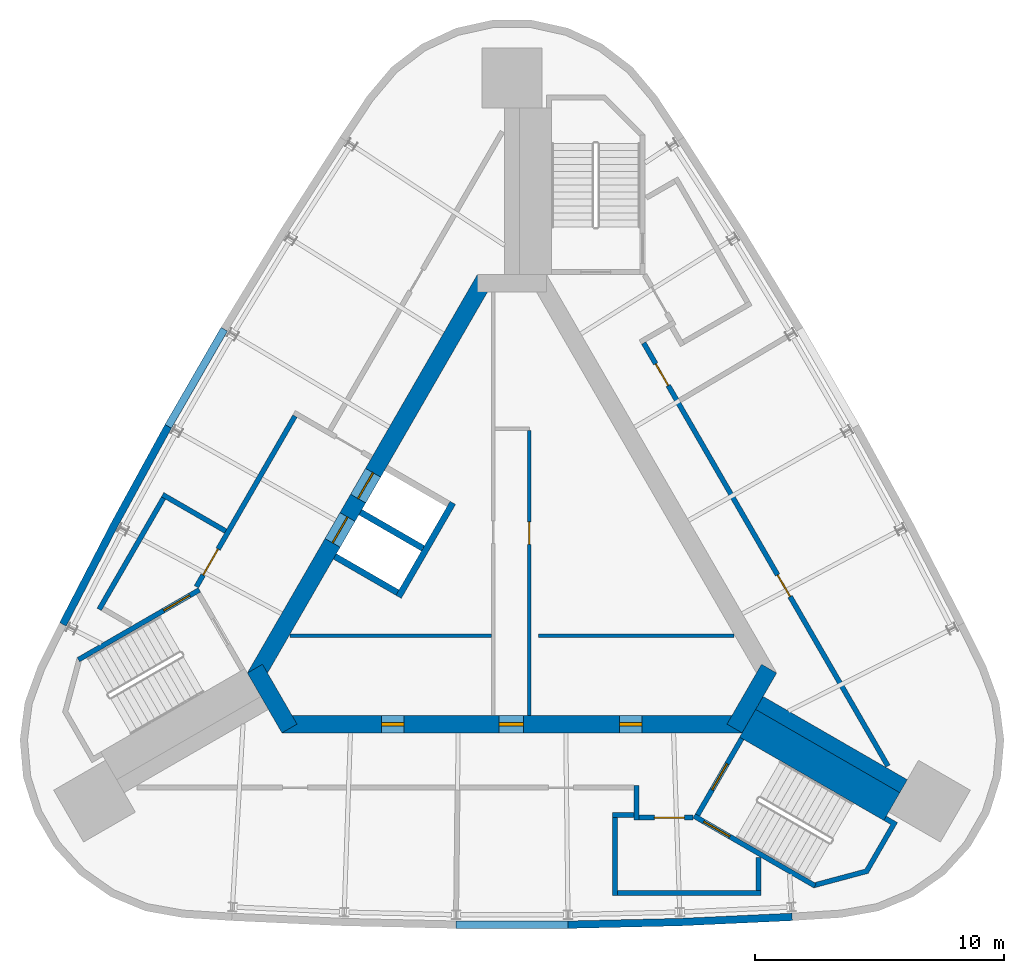
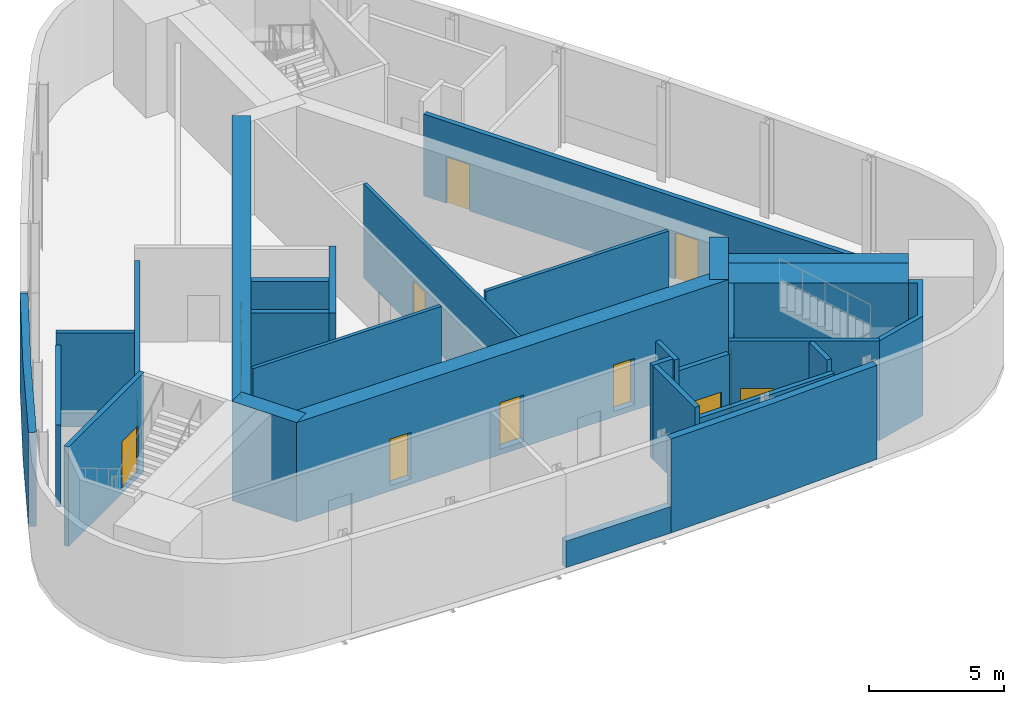
# One storey, part 4 of 7: 30 walls, 13 doors, 13 openings.
"""IFC4 building model written with IfcOpenShell, lengths in metres."""

from ifc_helpers import new_model, si_unit, direction, frame, frame_2d, origin, place, context, subcontext, project, spatial, polyline, rectangle, outline, extrude, material, layer, layer_set, type_object, element, fill, save


model = new_model("IFC4")

# Units and contexts
model_context = context("Model", 3, precision=1e-05, world=origin(), true_north=direction((0.0, 1.0)))
body_context = subcontext(model_context, "Body", "Model", "MODEL_VIEW")
ifc_project = project(units=[si_unit("LENGTHUNIT", "METRE"), si_unit("AREAUNIT", "SQUARE_METRE"), si_unit("VOLUMEUNIT", "CUBIC_METRE"), si_unit("PLANEANGLEUNIT", "RADIAN"), si_unit("MASSUNIT", "GRAM", prefix="KILO")], contexts=[model_context])

# Site, building, storey
site_placement = place(None, origin())
site = spatial("IfcSite", under=ifc_project, at=site_placement, CompositionType="ELEMENT")
building_placement = place(site_placement, origin())
building = spatial("IfcBuilding", under=site, at=building_placement, Name="Noor Cloister Tower", CompositionType="ELEMENT")
storey_placement = place(building_placement, frame((0.0, 0.0, 279.60009765625)))
storey = spatial("IfcBuildingStorey", under=building, at=storey_placement, Name="L71", CompositionType="ELEMENT", Elevation=279.60009765625)

# Walls
ifc_material_1 = material(Name="Concrete C50/60", Category="concrete")
ifc_layer_1 = layer(ifc_material_1, 0.60009765625)
ifc_layer_set_1 = layer_set([ifc_layer_1], Name="Buttress wall 600 C50/60")
wall_type_1 = type_object("IfcWallType", Name="Buttress wall 600 C50/60", PredefinedType="SHEAR", material=ifc_layer_set_1)
wall_1_placement = place(storey_placement, frame((9.921630859375, -5.728271484375, -0.25), z_axis=(0.0, 0.0, 1.0), x_axis=(0.866032176823, -0.499988268569, 0.0)))
element("IfcWall", 1, at=wall_1_placement, inside=storey, type_object=wall_type_1, Name="Buttress wall SE L71", PredefinedType="SHEAR", context=body_context, shape_type="SweptSolid", body=[
    extrude(rectangle(XDim=6.678466796875, YDim=0.60009765625, at=frame_2d((3.33935546875, 0.0))), origin(), (0.0, 0.0, 1.0), 4.5),
])
ifc_material_2 = material(Name="Concrete C30/37", Category="concrete")
ifc_layer_2 = layer(ifc_material_2, 0.14990234375)
ifc_layer_set_2 = layer_set([ifc_layer_2], Name="Core partition 150 C30/37")
wall_type_2 = type_object("IfcWallType", Name="Core partition 150 C30/37", PredefinedType="PARTITIONING", material=ifc_layer_set_2)
wall_2_placement = place(storey_placement, frame((-8.89501953125, -3.0283203125, 0.0), z_axis=(0.0, 0.0, 1.0), x_axis=(1.0, 0.0, 0.0)))
element("IfcWall", 2, at=wall_2_placement, inside=storey, type_object=wall_type_2, Name="Core room partition L71 1", PredefinedType="PARTITIONING", context=body_context, shape_type="SweptSolid", body=[
    extrude(rectangle(XDim=8.06640625, YDim=0.14990234375, at=frame_2d((4.033203125, 0.0))), origin(), (0.0, 0.0, 1.0), 4.25),
])

# Wall, opening, door
wall_3_placement = place(storey_placement, frame((0.6962890625, 5.19677734375, 0.0), z_axis=(0.0, 0.0, 1.0), x_axis=(0.0, -1.0, 0.0)))
wall_3 = element("IfcWall", 3, at=wall_3_placement, inside=storey, type_object=wall_type_2, Name="Core room partition L71 4", PredefinedType="PARTITIONING", context=body_context, shape_type="SweptSolid", body=[
    extrude(rectangle(XDim=11.425048828125, YDim=0.14990234375, at=frame_2d((5.71240234375, 0.0))), origin(), (0.0, 0.0, 1.0), 4.25),
])
opening_1_placement = place(wall_3_placement, frame((3.66357421875, 0.0, 0.0)))
opening_1 = element("IfcOpeningElement", 4, at=opening_1_placement, cuts=wall_3, Name="Opening L71-905", PredefinedType="OPENING", context=body_context, shape_type="SweptSolid", body=[
    extrude(rectangle(XDim=0.89990234375, YDim=2.10009765625, at=frame_2d((0.449951171875, 1.050048828125))), frame((0.0, 0.0849609375, 0.0), z_axis=(0.0, -1.0, 0.0), x_axis=(1.0, 0.0, 0.0)), (0.0, 0.0, 1.0), 0.169921875),
])
ifc_material_3 = material(Name="Steel", Category="steel")
door_type_1 = type_object("IfcDoorType", Name="Core door 900 x 2100 FD60", OperationType="SINGLE_SWING_LEFT", PredefinedType="DOOR", material=ifc_material_3)
door_1_placement = place(opening_1_placement, origin())
door_1 = element("IfcDoor", 5, at=door_1_placement, inside=storey, type_object=door_type_1, Name="Core door 5 L71", OperationType="SINGLE_SWING_LEFT", OverallHeight=2.10009765625, OverallWidth=0.89990234375, PredefinedType="DOOR", context=body_context, shape_type="SweptSolid", body=[
    extrude(rectangle(XDim=0.89990234375, YDim=2.10009765625, at=frame_2d((0.449951171875, 1.050048828125))), frame((0.0, 0.02490234375, 0.0), z_axis=(0.0, -1.0, 0.0), x_axis=(1.0, 0.0, 0.0)), (0.0, 0.0, 1.0), 0.050048828125),
])
fill(opening_1, door_1)

# Wall
wall_4_placement = place(storey_placement, frame((1.0712890625, -3.0283203125, 0.0), z_axis=(0.0, 0.0, 1.0), x_axis=(1.0, 0.0, 0.0)))
element("IfcWall", 6, at=wall_4_placement, inside=storey, type_object=wall_type_2, Name="Core room partition L71 5", PredefinedType="PARTITIONING", context=body_context, shape_type="SweptSolid", body=[
    extrude(rectangle(XDim=7.82373046875, YDim=0.14990234375, at=frame_2d((3.911865234375, 0.0))), origin(), (0.0, 0.0, 1.0), 4.25),
])

# Wall, openings, doors
ifc_material_4 = material(Name="Concrete C50/60", Category="concrete")
ifc_layer_3 = layer(ifc_material_4, 0.699951171875)
ifc_layer_set_3 = layer_set([ifc_layer_3], Name="Core wall 700 C50/60")
wall_type_3 = type_object("IfcWallType", Name="Core wall 700 C50/60", PredefinedType="SHEAR", material=ifc_layer_set_3)
wall_5_placement = place(storey_placement, frame((-9.228759765625, -6.578125, -0.25), z_axis=(0.0, 0.0, 1.0), x_axis=(1.0, 0.0, 0.0)))
wall_5 = element("IfcWall", 7, at=wall_5_placement, inside=storey, type_object=wall_type_3, Name="Core wall L71 1", PredefinedType="SHEAR", context=body_context, shape_type="SweptSolid", body=[
    extrude(rectangle(XDim=18.45751953125, YDim=0.699951171875, at=frame_2d((9.228759765625, 0.0))), origin(), (0.0, 0.0, 1.0), 4.5),
])
opening_2_placement = place(wall_5_placement, frame((8.699951171875, 0.0, 0.25)))
opening_2 = element("IfcOpeningElement", 8, at=opening_2_placement, cuts=wall_5, Name="Opening L71-901", PredefinedType="OPENING", context=body_context, shape_type="SweptSolid", body=[
    extrude(rectangle(XDim=1.0, YDim=2.10009765625, at=frame_2d((0.5, 1.050048828125))), frame((0.0, 0.35986328125, 0.0), z_axis=(0.0, -1.0, 0.0), x_axis=(1.0, 0.0, 0.0)), (0.0, 0.0, 1.0), 0.719970703125),
])
opening_3_placement = place(wall_5_placement, frame((3.989501953125, 0.0, 0.25)))
opening_3 = element("IfcOpeningElement", 9, at=opening_3_placement, cuts=wall_5, Name="Opening L71-902", PredefinedType="OPENING", context=body_context, shape_type="SweptSolid", body=[
    extrude(rectangle(XDim=0.89990234375, YDim=2.10009765625, at=frame_2d((0.449951171875, 1.050048828125))), frame((0.0, 0.35986328125, 0.0), z_axis=(0.0, -1.0, 0.0), x_axis=(1.0, 0.0, 0.0)), (0.0, 0.0, 1.0), 0.719970703125),
])
opening_4_placement = place(wall_5_placement, frame((13.539306640625, 0.0, 0.25)))
opening_4 = element("IfcOpeningElement", 10, at=opening_4_placement, cuts=wall_5, Name="Opening L71-903", PredefinedType="OPENING", context=body_context, shape_type="SweptSolid", body=[
    extrude(rectangle(XDim=0.89990234375, YDim=2.10009765625, at=frame_2d((0.449951171875, 1.050048828125))), frame((0.0, 0.35986328125, 0.0), z_axis=(0.0, -1.0, 0.0), x_axis=(1.0, 0.0, 0.0)), (0.0, 0.0, 1.0), 0.719970703125),
])
ifc_material_5 = material(Name="Steel", Category="steel")
door_type_2 = type_object("IfcDoorType", Name="Core door 1000 x 2100 FD120", OperationType="SINGLE_SWING_LEFT", PredefinedType="DOOR", material=ifc_material_5)
door_2_placement = place(opening_2_placement, origin())
door_2 = element("IfcDoor", 11, at=door_2_placement, inside=storey, type_object=door_type_2, Name="Core door 1 L71", OperationType="SINGLE_SWING_LEFT", OverallHeight=2.10009765625, OverallWidth=1.0, PredefinedType="DOOR", context=body_context, shape_type="SweptSolid", body=[
    extrude(rectangle(XDim=1.0, YDim=2.10009765625, at=frame_2d((0.5, 1.050048828125))), frame((0.0, 0.074951171875, 0.0), z_axis=(0.0, -1.0, 0.0), x_axis=(1.0, 0.0, 0.0)), (0.0, 0.0, 1.0), 0.14990234375),
])
fill(opening_2, door_2)
ifc_material_6 = material(Name="Steel", Category="steel")
door_type_3 = type_object("IfcDoorType", Name="Core door 900 x 2100 FD120", OperationType="SINGLE_SWING_LEFT", PredefinedType="DOOR", material=ifc_material_6)
door_3_placement = place(opening_3_placement, origin())
door_3 = element("IfcDoor", 12, at=door_3_placement, inside=storey, type_object=door_type_3, Name="Core door 2 L71", OperationType="SINGLE_SWING_RIGHT", OverallHeight=2.10009765625, OverallWidth=0.89990234375, PredefinedType="DOOR", context=body_context, shape_type="SweptSolid", body=[
    extrude(rectangle(XDim=0.89990234375, YDim=2.10009765625, at=frame_2d((0.449951171875, 1.050048828125))), frame((0.0, 0.074951171875, 0.0), z_axis=(0.0, -1.0, 0.0), x_axis=(1.0, 0.0, 0.0)), (0.0, 0.0, 1.0), 0.14990234375),
])
fill(opening_3, door_3)
door_4_placement = place(opening_4_placement, origin())
door_4 = element("IfcDoor", 13, at=door_4_placement, inside=storey, type_object=door_type_1, Name="Core door 3 L71", OperationType="SINGLE_SWING_LEFT", OverallHeight=2.10009765625, OverallWidth=0.89990234375, PredefinedType="DOOR", context=body_context, shape_type="SweptSolid", body=[
    extrude(rectangle(XDim=0.89990234375, YDim=2.10009765625, at=frame_2d((0.449951171875, 1.050048828125))), frame((0.0, 0.074951171875, 0.0), z_axis=(0.0, -1.0, 0.0), x_axis=(1.0, 0.0, 0.0)), (0.0, 0.0, 1.0), 0.14990234375),
])
fill(opening_4, door_4)

# Wall
wall_6_placement = place(storey_placement, frame((8.925537109375, -6.753173828125, -0.25), z_axis=(0.0, 0.0, 1.0), x_axis=(0.500042739161, 0.866000726912, 0.0)))
element("IfcWall", 14, at=wall_6_placement, inside=storey, type_object=wall_type_3, Name="Core wall L71 2", PredefinedType="SHEAR", context=body_context, shape_type="SweptSolid", body=[
    extrude(rectangle(XDim=2.771240234375, YDim=0.699951171875, at=frame_2d((1.3857421875, 0.0))), origin(), (0.0, 0.0, 1.0), 4.5),
])

# Wall, openings, doors
wall_7_placement = place(storey_placement, frame((-1.08251953125, 11.281494140625, -0.25), z_axis=(0.0, 0.0, 1.0), x_axis=(-0.500001446645, -0.866024568562, 0.0)))
wall_7 = element("IfcWall", 15, at=wall_7_placement, inside=storey, type_object=wall_type_3, Name="Core wall L71 5", PredefinedType="SHEAR", context=body_context, shape_type="SweptSolid", body=[
    extrude(rectangle(XDim=18.45751953125, YDim=0.699951171875, at=frame_2d((9.228759765625, 0.0))), origin(), (0.0, 0.0, 1.0), 4.5),
])
opening_5_placement = place(wall_7_placement, frame((8.978759765625, 0.0, 0.25)))
opening_5 = element("IfcOpeningElement", 16, at=opening_5_placement, cuts=wall_7, Name="Opening L71-FF1", PredefinedType="OPENING", context=body_context, shape_type="SweptSolid", body=[
    extrude(rectangle(XDim=1.199951171875, YDim=2.10009765625, at=frame_2d((0.60009765625, 1.050048828125))), frame((0.0, 0.35986328125, 0.0), z_axis=(0.0, -1.0, 0.0), x_axis=(1.0, 0.0, 0.0)), (0.0, 0.0, 1.0), 0.719970703125),
])
opening_6_placement = place(wall_7_placement, frame((11.02880859375, 0.0, 0.25)))
opening_6 = element("IfcOpeningElement", 17, at=opening_6_placement, cuts=wall_7, Name="Opening L71-FF2", PredefinedType="OPENING", context=body_context, shape_type="SweptSolid", body=[
    extrude(rectangle(XDim=1.199951171875, YDim=2.10009765625, at=frame_2d((0.60009765625, 1.050048828125))), frame((0.0, 0.35986328125, 0.0), z_axis=(0.0, -1.0, 0.0), x_axis=(1.0, 0.0, 0.0)), (0.0, 0.0, 1.0), 0.719970703125),
])
ifc_material_7 = material(Name="Stainless steel", Category="steel")
door_type_4 = type_object("IfcDoorType", Name="Lift landing door 1200 x 2100", OperationType="DOUBLE_DOOR_SLIDING", PredefinedType="DOOR", material=ifc_material_7)
door_5_placement = place(opening_5_placement, origin())
door_5 = element("IfcDoor", 18, at=door_5_placement, inside=storey, type_object=door_type_4, Name="Landing door FF1 L71", OperationType="DOUBLE_DOOR_SLIDING", OverallHeight=2.10009765625, OverallWidth=1.199951171875, PredefinedType="DOOR", context=body_context, shape_type="SweptSolid", body=[
    extrude(rectangle(XDim=1.199951171875, YDim=2.10009765625, at=frame_2d((0.60009765625, 1.050048828125))), frame((0.0, 0.02490234375, 0.0), z_axis=(0.0, -1.0, 0.0), x_axis=(1.0, 0.0, 0.0)), (0.0, 0.0, 1.0), 0.050048828125),
])
fill(opening_5, door_5)
door_6_placement = place(opening_6_placement, origin())
door_6 = element("IfcDoor", 19, at=door_6_placement, inside=storey, type_object=door_type_4, Name="Landing door FF2 L71", OperationType="DOUBLE_DOOR_SLIDING", OverallHeight=2.10009765625, OverallWidth=1.199951171875, PredefinedType="DOOR", context=body_context, shape_type="SweptSolid", body=[
    extrude(rectangle(XDim=1.199951171875, YDim=2.10009765625, at=frame_2d((0.60009765625, 1.050048828125))), frame((0.0, 0.02490234375, 0.0), z_axis=(0.0, -1.0, 0.0), x_axis=(1.0, 0.0, 0.0)), (0.0, 0.0, 1.0), 0.050048828125),
])
fill(opening_6, door_6)

# Walls
wall_8_placement = place(storey_placement, frame((-10.311279296875, -4.353271484375, -0.25), z_axis=(0.0, 0.0, 1.0), x_axis=(0.500042739161, -0.866000726912, 0.0)))
element("IfcWall", 20, at=wall_8_placement, inside=storey, type_object=wall_type_3, Name="Core wall L71 6", PredefinedType="SHEAR", context=body_context, shape_type="SweptSolid", body=[
    extrude(rectangle(XDim=2.771240234375, YDim=0.699951171875, at=frame_2d((1.3857421875, 0.0))), origin(), (0.0, 0.0, 1.0), 4.5),
])
ifc_material_8 = material(Name="Limestone", Category="masonry")
ifc_layer_4 = layer(ifc_material_8, 0.300048828125)
ifc_layer_set_4 = layer_set([ifc_layer_4], Name="Limestone panel wall 300")
wall_type_4 = type_object("IfcWallType", Name="Limestone panel wall 300", PredefinedType="NOTDEFINED", material=ifc_layer_set_4)
wall_9_placement = place(storey_placement, origin())
element("IfcWall", 21, at=wall_9_placement, inside=storey, type_object=wall_type_4, Name="Limestone crown wall L71 1b", PredefinedType="NOTDEFINED", context=body_context, shape_type="SweptSolid", body=[
    extrude(outline(polyline([(-13.919189453125, 5.438232421875), (-16.078125, 1.489990234375), (-18.14501953125, -2.507080078125), (-17.87841796875, -2.644775390625), (-15.813232421875, 1.34912109375), (-13.656005859375, 5.294189453125), (-13.919189453125, 5.438232421875)])), origin(), (0.0, 0.0, 1.0), 4.25),
])
wall_10_placement = place(storey_placement, origin())
element("IfcWall", 22, at=wall_10_placement, inside=storey, type_object=wall_type_4, Name="Limestone crown wall L71 1 lower", PredefinedType="NOTDEFINED", context=body_context, shape_type="SweptSolid", body=[
    extrude(outline(polyline([(-11.669189453125, 9.335205078125), (-13.919189453125, 5.438232421875), (-13.659423828125, 5.288330078125), (-11.409423828125, 9.185302734375), (-11.669189453125, 9.335205078125)])), origin(), (0.0, 0.0, 1.0), 1.199951171875),
])
wall_11_placement = place(storey_placement, origin())
element("IfcWall", 23, at=wall_11_placement, inside=storey, type_object=wall_type_4, Name="Limestone crown wall L71 2b", PredefinedType="NOTDEFINED", context=body_context, shape_type="SweptSolid", body=[
    extrude(outline(polyline([(2.25, -14.7734375), (6.74853515625, -14.669189453125), (11.24365234375, -14.46044921875), (11.229736328125, -14.160888671875), (6.73828125, -14.369384765625), (2.242919921875, -14.4736328125), (2.25, -14.7734375)])), origin(), (0.0, 0.0, 1.0), 4.25),
])
wall_12_placement = place(storey_placement, origin())
element("IfcWall", 24, at=wall_12_placement, inside=storey, type_object=wall_type_4, Name="Limestone crown wall L71 2 lower", PredefinedType="NOTDEFINED", context=body_context, shape_type="SweptSolid", body=[
    extrude(outline(polyline([(-2.25, -14.7734375), (2.25, -14.7734375), (2.25, -14.473388671875), (-2.25, -14.473388671875), (-2.25, -14.7734375)])), origin(), (0.0, 0.0, 1.0), 1.199951171875),
])
ifc_material_9 = material(Name="Concrete C50/60", Category="concrete")
ifc_layer_5 = layer(ifc_material_9, 0.25)
ifc_layer_set_5 = layer_set([ifc_layer_5], Name="Shaft wall 250 C50/60")
wall_type_5 = type_object("IfcWallType", Name="Shaft wall 250 C50/60", PredefinedType="PARTITIONING", material=ifc_layer_set_5)
for number, where, z_axis, x_axis, name in (
    (25, (-6.081298828125, 1.92333984375, -0.25), (0.0, 0.0, 1.0), (0.866032775405, -0.499987231761, 0.0), "Lift shaft wall L71 NW 4"),
    (26, (-7.106201171875, 0.14794921875, -0.25), (0.0, 0.0, 1.0), (0.866032775405, -0.499987231761, 0.0), "Lift shaft wall L71 NW 5"),
):
    element("IfcWall", number, at=place(storey_placement, frame(where, z_axis=z_axis, x_axis=x_axis)), inside=storey, type_object=wall_type_5, Name=name, PredefinedType="PARTITIONING", context=body_context, shape_type="SweptSolid", body=[
        extrude(rectangle(XDim=2.89990234375, YDim=0.25, at=frame_2d((1.449951171875, 0.0))), origin(), (0.0, 0.0, 1.0), 4.5),
    ])
wall_13_placement = place(storey_placement, frame((-2.3740234375, 2.29443359375, 0.0), z_axis=(0.0, 0.0, 1.0), x_axis=(-0.499996127374, -0.866027639635, 0.0)))
element("IfcWall", 27, at=wall_13_placement, inside=storey, type_object=wall_type_5, Name="Lift shaft back wall L71 NW", PredefinedType="PARTITIONING", context=body_context, shape_type="SweptSolid", body=[
    extrude(rectangle(XDim=4.35009765625, YDim=0.25, at=frame_2d((2.175048828125, 0.0))), origin(), (0.0, 0.0, 1.0), 4.25),
])
ifc_material_10 = material(Name="Concrete C50/60", Category="concrete")
ifc_layer_6 = layer(ifc_material_10, 1.285888671875)
ifc_layer_set_6 = layer_set([ifc_layer_6], Name="Stair enclosure wall 1286 C50/60")
wall_type_6 = type_object("IfcWallType", Name="Stair enclosure wall 1286 C50/60", PredefinedType="SHEAR", material=ifc_layer_set_6)
wall_14_placement = place(storey_placement, frame((9.4501953125, -6.544677734375, -0.25), z_axis=(0.0, 0.0, 1.0), x_axis=(0.866016347338, -0.500015685897, 0.0)))
element("IfcWall", 28, at=wall_14_placement, inside=storey, type_object=wall_type_6, Name="Stair enclosure wall ST3 L71 riser side", PredefinedType="SHEAR", context=body_context, shape_type="SweptSolid", body=[
    extrude(rectangle(XDim=6.678466796875, YDim=1.28564453125, at=frame_2d((3.33935546875, 0.0))), origin(), (0.0, 0.0, 1.0), 4.5),
])

# Wall, opening, door
ifc_material_11 = material(Name="Concrete C50/60", Category="concrete")
ifc_layer_7 = layer(ifc_material_11, 0.199951171875)
ifc_layer_set_7 = layer_set([ifc_layer_7], Name="Stair enclosure wall 200 C50/60")
wall_type_7 = type_object("IfcWallType", Name="Stair enclosure wall 200 C50/60", PredefinedType="SHEAR", material=ifc_layer_set_7)
wall_15_placement = place(storey_placement, frame((-12.539306640625, -1.194091796875, -0.25), z_axis=(0.0, 0.0, 1.0), x_axis=(-0.866045472092, -0.499965239061, 0.0)))
wall_15 = element("IfcWall", 29, at=wall_15_placement, inside=storey, type_object=wall_type_7, Name="Stair enclosure wall ST2 L71 outer side", PredefinedType="SHEAR", context=body_context, shape_type="SweptSolid", body=[
    extrude(rectangle(XDim=5.60009765625, YDim=0.199951171875, at=frame_2d((2.800048828125, 0.0))), origin(), (0.0, 0.0, 1.0), 4.5),
])
opening_7_placement = place(wall_15_placement, frame((0.449951171875, 0.0, 0.25)))
opening_7 = element("IfcOpeningElement", 30, at=opening_7_placement, cuts=wall_15, Name="Opening L71-ST2C", PredefinedType="OPENING", context=body_context, shape_type="SweptSolid", body=[
    extrude(rectangle(XDim=1.199951171875, YDim=2.10009765625, at=frame_2d((0.60009765625, 1.050048828125))), frame((0.0, 0.10986328125, 0.0), z_axis=(0.0, -1.0, 0.0), x_axis=(1.0, 0.0, 0.0)), (0.0, 0.0, 1.0), 0.219970703125),
])
ifc_material_12 = material(Name="Steel", Category="steel")
door_type_5 = type_object("IfcDoorType", Name="Stair door 1200 x 2100 FD120", OperationType="SINGLE_SWING_LEFT", PredefinedType="DOOR", material=ifc_material_12)
door_7_placement = place(opening_7_placement, origin())
door_7 = element("IfcDoor", 31, at=door_7_placement, inside=storey, type_object=door_type_5, Name="Stair door ST2 L71", OperationType="SINGLE_SWING_LEFT", OverallHeight=2.10009765625, OverallWidth=1.199951171875, PredefinedType="DOOR", context=body_context, shape_type="SweptSolid", body=[
    extrude(rectangle(XDim=1.199951171875, YDim=2.10009765625, at=frame_2d((0.60009765625, 1.050048828125))), frame((0.0, 0.02490234375, 0.0), z_axis=(0.0, -1.0, 0.0), x_axis=(1.0, 0.0, 0.0)), (0.0, 0.0, 1.0), 0.050048828125),
])
fill(opening_7, door_7)

wall_16_placement = place(storey_placement, frame((7.440185546875, -10.225830078125, -0.25), z_axis=(0.0, 0.0, 1.0), x_axis=(0.500022077904, 0.866012656725, 0.0)))
wall_16 = element("IfcWall", 32, at=wall_16_placement, inside=storey, type_object=wall_type_7, Name="Stair enclosure wall ST3 L71 near end", PredefinedType="SHEAR", context=body_context, shape_type="SweptSolid", body=[
    extrude(rectangle(XDim=3.550048828125, YDim=0.199951171875, at=frame_2d((1.77490234375, 0.0))), origin(), (0.0, 0.0, 1.0), 4.5),
])
opening_8_placement = place(wall_16_placement, frame((1.175048828125, 0.0, 0.25)))
opening_8 = element("IfcOpeningElement", 33, at=opening_8_placement, cuts=wall_16, Name="Opening L71-ST3L", PredefinedType="OPENING", context=body_context, shape_type="SweptSolid", body=[
    extrude(rectangle(XDim=1.199951171875, YDim=2.10009765625, at=frame_2d((0.60009765625, 1.050048828125))), frame((0.0, 0.10986328125, 0.0), z_axis=(0.0, -1.0, 0.0), x_axis=(1.0, 0.0, 0.0)), (0.0, 0.0, 1.0), 0.219970703125),
])
door_8_placement = place(opening_8_placement, origin())
door_8 = element("IfcDoor", 34, at=door_8_placement, inside=storey, type_object=door_type_5, Name="Stair door ST3 L71", OperationType="SINGLE_SWING_RIGHT", OverallHeight=2.10009765625, OverallWidth=1.199951171875, PredefinedType="DOOR", context=body_context, shape_type="SweptSolid", body=[
    extrude(rectangle(XDim=1.199951171875, YDim=2.10009765625, at=frame_2d((0.60009765625, 1.050048828125))), frame((0.0, 0.02490234375, 0.0), z_axis=(0.0, -1.0, 0.0), x_axis=(1.0, 0.0, 0.0)), (0.0, 0.0, 1.0), 0.050048828125),
])
fill(opening_8, door_8)

wall_17_placement = place(storey_placement, frame((7.3037109375, -10.262451171875, -0.25), z_axis=(0.0, 0.0, 1.0), x_axis=(0.866026594901, -0.49999793692, 0.0)))
wall_17 = element("IfcWall", 35, at=wall_17_placement, inside=storey, type_object=wall_type_7, Name="Stair enclosure wall ST3 L71 outer side", PredefinedType="SHEAR", context=body_context, shape_type="SweptSolid", body=[
    extrude(rectangle(XDim=5.60009765625, YDim=0.199951171875, at=frame_2d((2.800048828125, 0.0))), origin(), (0.0, 0.0, 1.0), 4.5),
])
opening_9_placement = place(wall_17_placement, frame((0.449951171875, 0.0, 0.25)))
opening_9 = element("IfcOpeningElement", 36, at=opening_9_placement, cuts=wall_17, Name="Opening L71-ST3C", PredefinedType="OPENING", context=body_context, shape_type="SweptSolid", body=[
    extrude(rectangle(XDim=1.199951171875, YDim=2.10009765625, at=frame_2d((0.60009765625, 1.050048828125))), frame((0.0, 0.10986328125, 0.0), z_axis=(0.0, -1.0, 0.0), x_axis=(1.0, 0.0, 0.0)), (0.0, 0.0, 1.0), 0.219970703125),
])
door_9_placement = place(opening_9_placement, origin())
door_9 = element("IfcDoor", 37, at=door_9_placement, inside=storey, type_object=door_type_5, Name="Stair door ST3 L71", OperationType="SINGLE_SWING_LEFT", OverallHeight=2.10009765625, OverallWidth=1.199951171875, PredefinedType="DOOR", context=body_context, shape_type="SweptSolid", body=[
    extrude(rectangle(XDim=1.199951171875, YDim=2.10009765625, at=frame_2d((0.60009765625, 1.050048828125))), frame((0.0, 0.02490234375, 0.0), z_axis=(0.0, -1.0, 0.0), x_axis=(1.0, 0.0, 0.0)), (0.0, 0.0, 1.0), 0.050048828125),
])
fill(opening_9, door_9)

# Walls
ifc_material_13 = material(Name="Concrete C50/60", Category="concrete")
wall_type_8 = type_object("IfcWallType", Name="Stair far end wall C50/60", PredefinedType="SHEAR", material=ifc_material_13)
wall_18_placement = place(storey_placement, frame((0.0, 0.0, -0.25)))
element("IfcWall", 38, at=wall_18_placement, inside=storey, type_object=wall_type_8, Name="Stair enclosure wall ST3 L71 far end", PredefinedType="SHEAR", context=body_context, shape_type="SweptSolid", body=[
    extrude(outline(polyline([(12.103515625, -13.14892578125), (14.2890625, -12.5634765625), (15.464111328125, -10.5283203125), (15.0126953125, -10.267578125), (14.91259765625, -10.440673828125), (15.19091796875, -10.601318359375), (14.1572265625, -12.3916015625), (12.131591796875, -12.934326171875), (12.20361328125, -12.975830078125), (12.20361328125, -12.975830078125), (12.20361328125, -12.975830078125), (12.20361328125, -12.975830078125), (12.20361328125, -12.975830078125), (12.20361328125, -12.975830078125), (12.20361328125, -12.975830078125), (12.20361328125, -12.975830078125), (12.20361328125, -12.975830078125), (12.20361328125, -12.975830078125), (12.20361328125, -12.975830078125), (12.20361328125, -12.975830078125), (12.20361328125, -12.975830078125), (12.20361328125, -12.975830078125), (12.20361328125, -12.975830078125), (12.20361328125, -12.975830078125), (12.20361328125, -12.975830078125), (12.103515625, -13.14892578125)])), origin(), (0.0, 0.0, 1.0), 4.5),
])
ifc_material_14 = material(Name="Concrete block wall, 200 mm", Category="concrete")
ifc_layer_8 = layer(ifc_material_14, 0.199951171875)
ifc_layer_set_8 = layer_set([ifc_layer_8], Name="Upper floor plant room wall 200")
wall_type_9 = type_object("IfcWallType", Name="Upper floor plant room wall 200", PredefinedType="PARTITIONING", material=ifc_layer_set_8)
wall_19_placement = place(storey_placement, frame((-14.012939453125, 2.62451171875, 0.0), z_axis=(0.0, 0.0, 1.0), x_axis=(0.866026830048, -0.499997529631, 0.0)))
element("IfcWall", 39, at=wall_19_placement, inside=storey, type_object=wall_type_9, Name="Upper floor plant room wall 200 L71 002", PredefinedType="PARTITIONING", context=body_context, shape_type="SweptSolid", body=[
    extrude(rectangle(XDim=2.91943359375, YDim=0.199951171875, at=frame_2d((1.459716796875, 0.0))), origin(), (0.0, 0.0, 1.0), 4.25),
])

# Wall, opening, door
wall_20_placement = place(storey_placement, frame((-12.657958984375, -1.06787109375, 0.0), z_axis=(0.0, 0.0, 1.0), x_axis=(0.499996073327, 0.866027670838, 0.0)))
wall_20 = element("IfcWall", 40, at=wall_20_placement, inside=storey, type_object=wall_type_9, Name="Upper floor plant room wall 200 L71 003", PredefinedType="PARTITIONING", context=body_context, shape_type="SweptSolid", body=[
    extrude(rectangle(XDim=7.90380859375, YDim=0.199951171875, at=frame_2d((3.951904296875, 0.0))), origin(), (0.0, 0.0, 1.0), 3.701904296875),
])
opening_10_placement = place(wall_20_placement, frame((0.54052734375, 0.0, 0.0)))
opening_10 = element("IfcOpeningElement", 41, at=opening_10_placement, cuts=wall_20, Name="Opening L71-003", PredefinedType="OPENING", context=body_context, shape_type="SweptSolid", body=[
    extrude(rectangle(XDim=1.199951171875, YDim=2.10009765625, at=frame_2d((0.60009765625, 1.050048828125))), frame((0.0, 0.10986328125, 0.0), z_axis=(0.0, -1.0, 0.0), x_axis=(1.0, 0.0, 0.0)), (0.0, 0.0, 1.0), 0.219970703125),
])
ifc_material_15 = material(Name="Timber door leaf with steel frame", Category="steel")
door_type_6 = type_object("IfcDoorType", Name="Protected lobby door 1200", OperationType="NOTDEFINED", PredefinedType="DOOR", material=ifc_material_15)
door_10_placement = place(opening_10_placement, origin())
door_10 = element("IfcDoor", 42, at=door_10_placement, inside=storey, type_object=door_type_6, Name="Protected lobby door 1200 L71-003", OperationType="SINGLE_SWING_LEFT", OverallHeight=2.10009765625, OverallWidth=1.199951171875, PredefinedType="DOOR", context=body_context, shape_type="SweptSolid", body=[
    extrude(rectangle(XDim=1.199951171875, YDim=2.10009765625, at=frame_2d((0.60009765625, 1.050048828125))), frame((0.0, 0.02490234375, 0.0), z_axis=(0.0, -1.0, 0.0), x_axis=(1.0, 0.0, 0.0)), (0.0, 0.0, 1.0), 0.050048828125),
])
fill(opening_10, door_10)

# Walls
wall_21_placement = place(storey_placement, frame((-13.97802734375, 2.489013671875, 0.0), z_axis=(0.0, 0.0, 1.0), x_axis=(-0.499983365876, -0.866035007288, 0.0)))
element("IfcWall", 43, at=wall_21_placement, inside=storey, type_object=wall_type_9, Name="Upper floor plant room wall 200 L71 005", PredefinedType="PARTITIONING", context=body_context, shape_type="SweptSolid", body=[
    extrude(rectangle(XDim=5.156982421875, YDim=0.199951171875, at=frame_2d((2.57861328125, 0.0))), origin(), (0.0, 0.0, 1.0), 3.701904296875),
])
wall_22_placement = place(storey_placement, frame((4.03564453125, -10.228271484375, 0.0), z_axis=(0.0, 0.0, 1.0), x_axis=(1.0, 0.0, 0.0)))
element("IfcWall", 44, at=wall_22_placement, inside=storey, type_object=wall_type_9, Name="Upper floor plant room wall 200 L71 007", PredefinedType="PARTITIONING", context=body_context, shape_type="SweptSolid", body=[
    extrude(rectangle(XDim=0.8642578125, YDim=0.199951171875, at=frame_2d((0.43212890625, 0.0))), origin(), (0.0, 0.0, 1.0), 4.25),
])
wall_23_placement = place(storey_placement, frame((5.0, -10.42822265625, 0.0), z_axis=(0.0, 0.0, 1.0), x_axis=(0.0, 1.0, 0.0)))
element("IfcWall", 45, at=wall_23_placement, inside=storey, type_object=wall_type_9, Name="Upper floor plant room wall 200 L71 008", PredefinedType="PARTITIONING", context=body_context, shape_type="SweptSolid", body=[
    extrude(rectangle(XDim=1.39794921875, YDim=0.199951171875, at=frame_2d((0.698974609375, 0.0))), origin(), (0.0, 0.0, 1.0), 4.25),
])

# Wall, opening, door
wall_24_placement = place(storey_placement, frame((5.10009765625, -10.328125, 0.0), z_axis=(0.0, 0.0, 1.0), x_axis=(1.0, 0.0, 0.0)))
wall_24 = element("IfcWall", 46, at=wall_24_placement, inside=storey, type_object=wall_type_9, Name="Upper floor plant room wall 200 L71 009", PredefinedType="PARTITIONING", context=body_context, shape_type="SweptSolid", body=[
    extrude(rectangle(XDim=2.153564453125, YDim=0.199951171875, at=frame_2d((1.07666015625, 0.0))), origin(), (0.0, 0.0, 1.0), 3.701904296875),
])
opening_11_placement = place(wall_24_placement, frame((0.61474609375, 0.0, 0.0)))
opening_11 = element("IfcOpeningElement", 47, at=opening_11_placement, cuts=wall_24, Name="Opening L71-006", PredefinedType="OPENING", context=body_context, shape_type="SweptSolid", body=[
    extrude(rectangle(XDim=1.199951171875, YDim=2.10009765625, at=frame_2d((0.60009765625, 1.050048828125))), frame((0.0, 0.10986328125, 0.0), z_axis=(0.0, -1.0, 0.0), x_axis=(1.0, 0.0, 0.0)), (0.0, 0.0, 1.0), 0.219970703125),
])
door_11_placement = place(opening_11_placement, origin())
door_11 = element("IfcDoor", 48, at=door_11_placement, inside=storey, type_object=door_type_6, Name="Protected lobby door 1200 L71-006", OperationType="SINGLE_SWING_RIGHT", OverallHeight=2.10009765625, OverallWidth=1.199951171875, PredefinedType="DOOR", context=body_context, shape_type="SweptSolid", body=[
    extrude(rectangle(XDim=1.199951171875, YDim=2.10009765625, at=frame_2d((0.60009765625, 1.050048828125))), frame((0.0, 0.02490234375, 0.0), z_axis=(0.0, -1.0, 0.0), x_axis=(1.0, 0.0, 0.0)), (0.0, 0.0, 1.0), 0.050048828125),
])
fill(opening_11, door_11)

# Walls
wall_25_placement = place(storey_placement, frame((4.133544921875, -10.328125, 0.0), z_axis=(0.0, 0.0, 1.0), x_axis=(0.0, -1.0, 0.0)))
element("IfcWall", 49, at=wall_25_placement, inside=storey, type_object=wall_type_9, Name="Upper floor plant room wall 200 L71 012", PredefinedType="PARTITIONING", context=body_context, shape_type="SweptSolid", body=[
    extrude(rectangle(XDim=3.11962890625, YDim=0.199951171875, at=frame_2d((1.559814453125, 0.0))), origin(), (0.0, 0.0, 1.0), 4.25),
])
wall_26_placement = place(storey_placement, frame((4.233642578125, -13.349853515625, 0.0), z_axis=(0.0, 0.0, 1.0), x_axis=(1.0, 0.0, 0.0)))
element("IfcWall", 50, at=wall_26_placement, inside=storey, type_object=wall_type_9, Name="Upper floor plant room wall 200 L71 013", PredefinedType="PARTITIONING", context=body_context, shape_type="SweptSolid", body=[
    extrude(rectangle(XDim=5.7568359375, YDim=0.199951171875, at=frame_2d((2.87841796875, 0.0))), origin(), (0.0, 0.0, 1.0), 3.701904296875),
])
wall_27_placement = place(storey_placement, frame((9.892578125, -13.249755859375, 0.0), z_axis=(0.0, 0.0, 1.0), x_axis=(0.0, 1.0, 0.0)))
element("IfcWall", 51, at=wall_27_placement, inside=storey, type_object=wall_type_9, Name="Upper floor plant room wall 200 L71 014", PredefinedType="PARTITIONING", context=body_context, shape_type="SweptSolid", body=[
    extrude(rectangle(XDim=1.319580078125, YDim=0.199951171875, at=frame_2d((0.65966796875, 0.0))), origin(), (0.0, 0.0, 1.0), 4.25),
])

# Wall, openings, doors
wall_28_placement = place(storey_placement, frame((5.281982421875, 8.70751953125, 0.0), z_axis=(0.0, 0.0, 1.0), x_axis=(0.500001848211, -0.866024336717, 0.0)))
wall_28 = element("IfcWall", 52, at=wall_28_placement, inside=storey, type_object=wall_type_9, Name="Upper floor plant room wall 200 L71 018", PredefinedType="PARTITIONING", context=body_context, shape_type="SweptSolid", body=[
    extrude(rectangle(XDim=19.5908203125, YDim=0.199951171875, at=frame_2d((9.79541015625, 0.0))), origin(), (0.0, 0.0, 1.0), 3.701904296875),
])
opening_12_placement = place(wall_28_placement, frame((10.740966796875, 0.0, 0.0)))
opening_12 = element("IfcOpeningElement", 53, at=opening_12_placement, cuts=wall_28, Name="Opening L71-007", PredefinedType="OPENING", context=body_context, shape_type="SweptSolid", body=[
    extrude(rectangle(XDim=1.0, YDim=2.10009765625, at=frame_2d((0.5, 1.050048828125))), frame((0.0, 0.10986328125, 0.0), z_axis=(0.0, -1.0, 0.0), x_axis=(1.0, 0.0, 0.0)), (0.0, 0.0, 1.0), 0.219970703125),
])
opening_13_placement = place(wall_28_placement, frame((0.96533203125, 0.0, 0.0)))
opening_13 = element("IfcOpeningElement", 54, at=opening_13_placement, cuts=wall_28, Name="Opening L71-008", PredefinedType="OPENING", context=body_context, shape_type="SweptSolid", body=[
    extrude(rectangle(XDim=1.0, YDim=2.10009765625, at=frame_2d((0.5, 1.050048828125))), frame((0.0, 0.10986328125, 0.0), z_axis=(0.0, -1.0, 0.0), x_axis=(1.0, 0.0, 0.0)), (0.0, 0.0, 1.0), 0.219970703125),
])
ifc_material_16 = material(Name="Timber door leaf with steel frame", Category="steel")
door_type_7 = type_object("IfcDoorType", Name="Plant room door 1000", OperationType="NOTDEFINED", PredefinedType="DOOR", material=ifc_material_16)
door_12_placement = place(opening_12_placement, origin())
door_12 = element("IfcDoor", 55, at=door_12_placement, inside=storey, type_object=door_type_7, Name="Plant room door 1000 L71-007", OperationType="SINGLE_SWING_RIGHT", OverallHeight=2.10009765625, OverallWidth=1.0, PredefinedType="DOOR", context=body_context, shape_type="SweptSolid", body=[
    extrude(rectangle(XDim=1.0, YDim=2.10009765625, at=frame_2d((0.5, 1.050048828125))), frame((0.0, 0.02490234375, 0.0), z_axis=(0.0, -1.0, 0.0), x_axis=(1.0, 0.0, 0.0)), (0.0, 0.0, 1.0), 0.050048828125),
])
fill(opening_12, door_12)
door_13_placement = place(opening_13_placement, origin())
door_13 = element("IfcDoor", 56, at=door_13_placement, inside=storey, type_object=door_type_7, Name="Plant room door 1000 L71-008", OperationType="SINGLE_SWING_LEFT", OverallHeight=2.10009765625, OverallWidth=1.0, PredefinedType="DOOR", context=body_context, shape_type="SweptSolid", body=[
    extrude(rectangle(XDim=1.0, YDim=2.10009765625, at=frame_2d((0.5, 1.050048828125))), frame((0.0, 0.02490234375, 0.0), z_axis=(0.0, -1.0, 0.0), x_axis=(1.0, 0.0, 0.0)), (0.0, 0.0, 1.0), 0.050048828125),
])
fill(opening_13, door_13)

save(model, "model.ifc")
